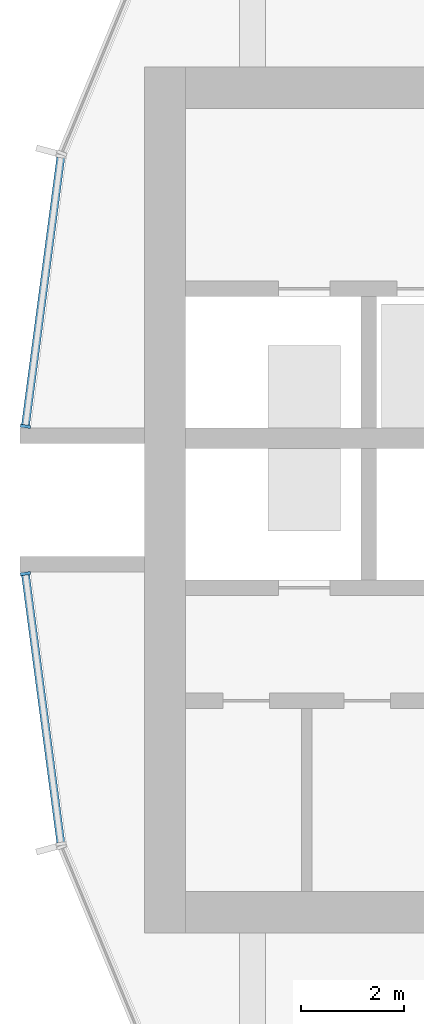
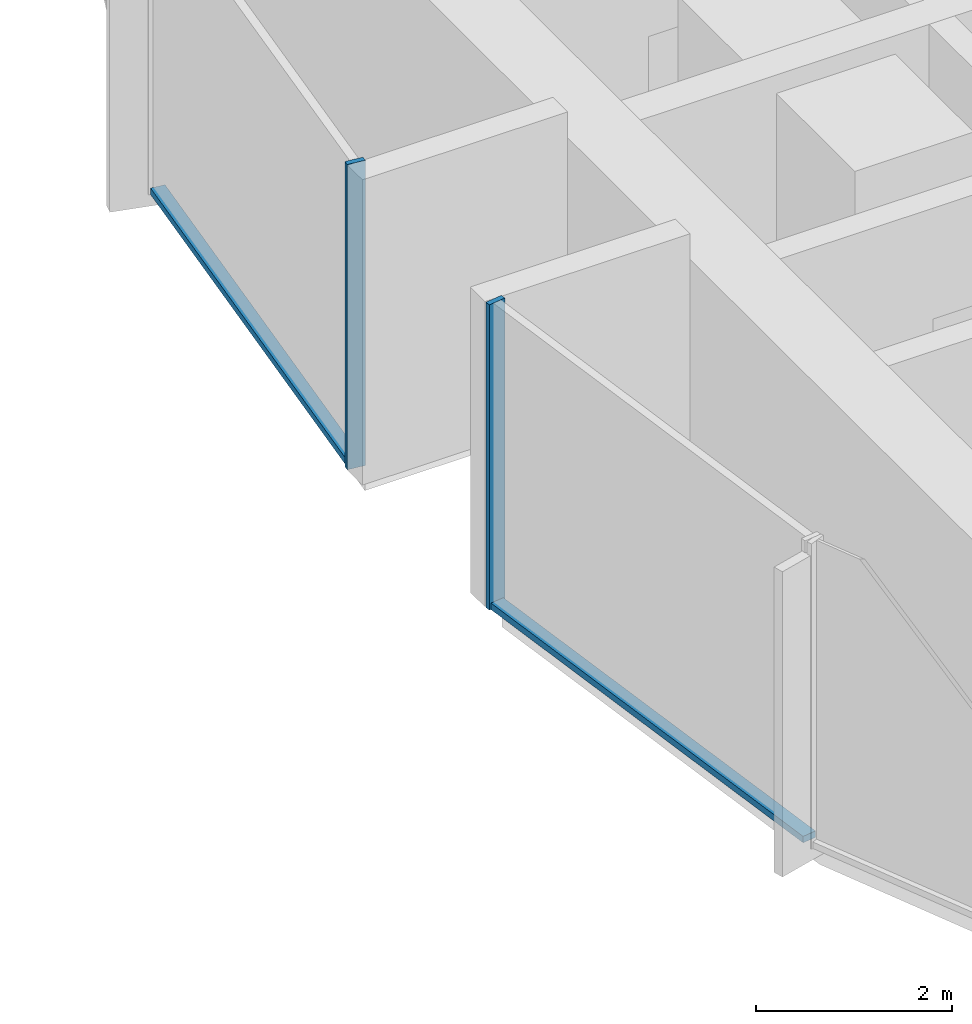
# One storey, part 3 of 15: 4 members, 2 elements without a shape of their own.
"""IFC4 building model written with IfcOpenShell, lengths in metres."""

from ifc_helpers import new_model, si_unit, direction, frame, origin, origin_2d, place, context, subcontext, project, spatial, rectangle, extrude, material, layer, layer_set, material_profile, profile_set, type_object, element, aggregate, save


model = new_model("IFC4")

# Units and contexts
model_context = context("Model", 3, precision=1e-05, world=origin(), true_north=direction((0.0, 1.0)))
body_context = subcontext(model_context, "Body", "Model", "MODEL_VIEW")
ifc_project = project(units=[si_unit("LENGTHUNIT", "METRE"), si_unit("AREAUNIT", "SQUARE_METRE"), si_unit("VOLUMEUNIT", "CUBIC_METRE"), si_unit("PLANEANGLEUNIT", "RADIAN"), si_unit("MASSUNIT", "GRAM", prefix="KILO")], contexts=[model_context])

# Site, building, storey
site_placement = place(None, origin())
site = spatial("IfcSite", under=ifc_project, at=site_placement, CompositionType="ELEMENT")
building_placement = place(site_placement, origin())
building = spatial("IfcBuilding", under=site, at=building_placement, Name="Torre Brocal", CompositionType="ELEMENT")
storey_placement = place(building_placement, frame((0.0, 0.0, 47.800048828125)))
storey = spatial("IfcBuildingStorey", under=building, at=storey_placement, Name="L10", CompositionType="ELEMENT", Elevation=47.800048828125)

# Curtain wall, member
ifc_material_1 = material(Name="Aluminium and glass", Category="aluminium")
ifc_layer = layer(ifc_material_1, 0.199951171875)
ifc_layer_set = layer_set([ifc_layer], Name="Aluminium and glass")
curtain_wall_type = type_object("IfcCurtainWallType", Name="CW-1B CURTAIN WALL 3800 HIGH", PredefinedType="NOTDEFINED", material=ifc_layer_set)
curtain_wall_1_placement = place(storey_placement, origin())
curtain_wall_1 = element("IfcCurtainWall", 1, at=curtain_wall_1_placement, inside=storey, type_object=curtain_wall_type, Name="CW-1B RUN 12", PredefinedType="NOTDEFINED")
ifc_material_2 = material(Name="Aluminium, dark anodised", Category="aluminium")
ifc_material_profile_1 = material_profile(ifc_material_2, rectangle(XDim=0.199951171875, YDim=0.06005859375, at=origin_2d()), Name="CW-1B MULLION 60X200")
ifc_profile_set_1 = profile_set([ifc_material_profile_1], Name="Aluminium, dark anodised")
member_type_1 = type_object("IfcMemberType", Name="CW-1B MULLION 60X200", PredefinedType="MULLION", material=ifc_profile_set_1)
member_1_placement = place(storey_placement, frame((54.2890625, 76.4296875, 0.0), z_axis=(0.0, 0.0, 1.0), x_axis=(0.991444861374, -0.13052619222, 0.0)))
member_1 = element("IfcMember", 2, at=member_1_placement, type_object=member_type_1, Name="CW1B-1 mullion 2", PredefinedType="MULLION", context=body_context, shape_type="SweptSolid", body=[
    extrude(rectangle(XDim=0.199951171875, YDim=0.06005859375, at=origin_2d()), origin(), (0.0, 0.0, 1.0), 3.800048828125),
])

curtain_wall_2_placement = place(storey_placement, origin())
curtain_wall_2 = element("IfcCurtainWall", 3, at=curtain_wall_2_placement, inside=storey, type_object=curtain_wall_type, Name="CW-1B RUN 13", PredefinedType="NOTDEFINED")
member_2_placement = place(storey_placement, frame((54.2890625, 73.5703125, 0.0), z_axis=(0.0, 0.0, 1.0), x_axis=(0.991444861374, 0.13052619222, 0.0)))
member_2 = element("IfcMember", 4, at=member_2_placement, type_object=member_type_1, Name="CW1B-1 mullion 1", PredefinedType="MULLION", context=body_context, shape_type="SweptSolid", body=[
    extrude(rectangle(XDim=0.199951171875, YDim=0.06005859375, at=origin_2d()), origin(), (0.0, 0.0, 1.0), 3.800048828125),
])

# Member
ifc_material_3 = material(Name="Aluminium, dark anodised", Category="aluminium")
ifc_material_profile_2 = material_profile(ifc_material_3, rectangle(XDim=0.159912109375, YDim=0.080078125, at=origin_2d()), Name="CW-1B TRANSOM 160X80")
ifc_profile_set_2 = profile_set([ifc_material_profile_2], Name="Aluminium, dark anodised")
member_type_2 = type_object("IfcMemberType", Name="CW-1B TRANSOM 160X80", PredefinedType="USERDEFINED", material=ifc_profile_set_2)
member_3_placement = place(storey_placement, frame((54.9755859375, 81.643798828125, 0.0400390625), z_axis=(-0.130542677827, -0.991442690863, 0.0), x_axis=(0.991442690863, -0.130542677827, 0.0)))
member_3 = element("IfcMember", 5, at=member_3_placement, type_object=member_type_2, Name="CW1B-1 transom 1.1", ObjectType="TRANSOM", PredefinedType="USERDEFINED", context=body_context, shape_type="SweptSolid", body=[
    extrude(rectangle(XDim=0.159912109375, YDim=0.080078125, at=origin_2d()), origin(), (0.0, 0.0, 1.0), 5.22900390625),
])

aggregate(curtain_wall_1, [member_1, member_3])

member_4_placement = place(storey_placement, frame((54.29296875, 73.54052734375, 0.0400390625), z_axis=(0.130542677827, -0.991442690863, 0.0), x_axis=(0.991442690863, 0.130542677827, 0.0)))
member_4 = element("IfcMember", 6, at=member_4_placement, type_object=member_type_2, Name="CW1B-1 transom 1.1", ObjectType="TRANSOM", PredefinedType="USERDEFINED", context=body_context, shape_type="SweptSolid", body=[
    extrude(rectangle(XDim=0.159912109375, YDim=0.080078125, at=origin_2d()), origin(), (0.0, 0.0, 1.0), 5.22900390625),
])

aggregate(curtain_wall_2, [member_2, member_4])

save(model, "model.ifc")
